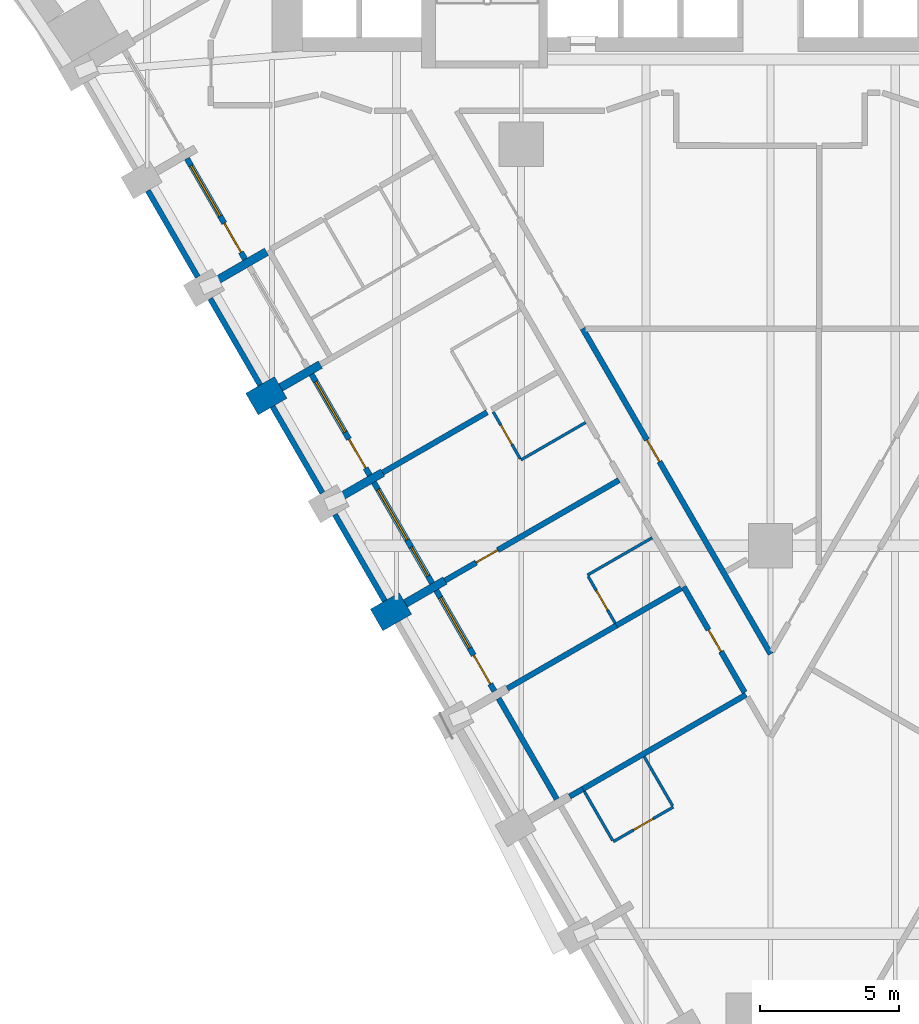
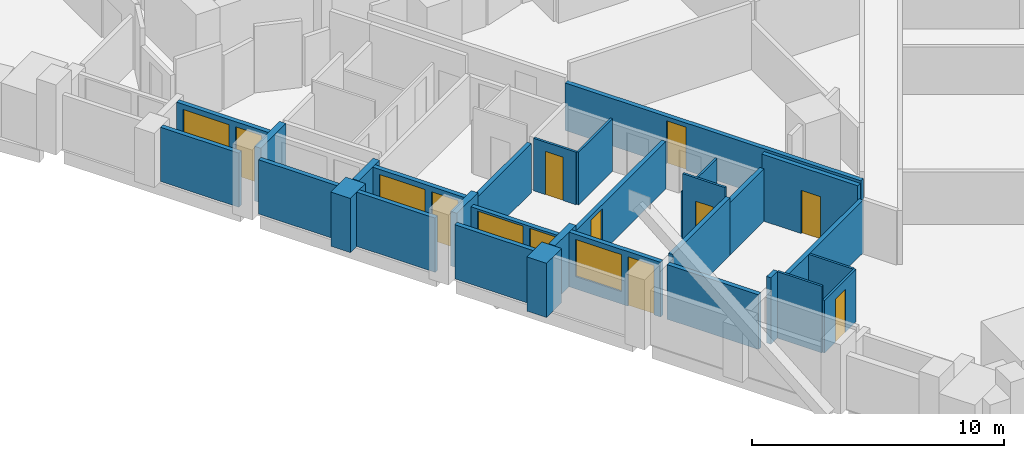
# One storey, part 3 of 11: 30 walls, 10 doors, 4 windows, 14 openings.
"""IFC4 building model written with IfcOpenShell, lengths in metres."""

from ifc_helpers import new_model, si_unit, direction, frame, frame_2d, origin, place, context, subcontext, project, spatial, polyline, rectangle, outline, extrude, material, layer, layer_set, type_object, element, fill, save


model = new_model("IFC4")

# Units and contexts
model_context = context("Model", 3, precision=1e-05, world=origin(), true_north=direction((0.0, 1.0)))
body_context = subcontext(model_context, "Body", "Model", "MODEL_VIEW")
ifc_project = project(units=[si_unit("LENGTHUNIT", "METRE"), si_unit("AREAUNIT", "SQUARE_METRE"), si_unit("VOLUMEUNIT", "CUBIC_METRE"), si_unit("PLANEANGLEUNIT", "RADIAN"), si_unit("MASSUNIT", "GRAM", prefix="KILO")], contexts=[model_context])

# Site, building, storey
site_placement = place(None, origin())
site = spatial("IfcSite", under=ifc_project, at=site_placement, CompositionType="ELEMENT")
building_placement = place(site_placement, origin())
building = spatial("IfcBuilding", under=site, at=building_placement, Name="Calabash Gate Tower", CompositionType="ELEMENT")
storey_placement = place(building_placement, frame((0.0, 0.0, 52.800048828125)))
storey = spatial("IfcBuildingStorey", under=building, at=storey_placement, Name="L08", CompositionType="ELEMENT", Elevation=52.800048828125)

# Walls
ifc_material_1 = material(Name="Terracotta brick masonry, exposed face", Category="masonry")
ifc_layer_1 = layer(ifc_material_1, 1.199951171875)
ifc_layer_set_1 = layer_set([ifc_layer_1], Name="Brick end wall 1200")
wall_type_1 = type_object("IfcWallType", Name="Brick end wall 1200", PredefinedType="SOLIDWALL", material=ifc_layer_set_1)
wall_1_placement = place(storey_placement, frame((-18.7197265625, -6.8818359375, 0.0), z_axis=(0.0, 0.0, 1.0), x_axis=(0.866006032174, 0.500033551112, 0.0)))
element("IfcWall", 1, at=wall_1_placement, inside=storey, type_object=wall_type_1, Name="Brick pier S01 SW0.3", PredefinedType="SOLIDWALL", context=body_context, shape_type="SweptSolid", body=[
    extrude(rectangle(XDim=1.2001953125, YDim=0.89990234375, at=frame_2d((0.60009765625, 0.0))), origin(), (0.0, 0.0, 1.0), 2.6279296875),
])
wall_2_placement = place(storey_placement, frame((-14.2197265625, -14.676025390625, 0.0), z_axis=(0.0, 0.0, 1.0), x_axis=(0.866006032174, 0.500033551112, 0.0)))
element("IfcWall", 2, at=wall_2_placement, inside=storey, type_object=wall_type_1, Name="Brick pier S01 SW0.5", PredefinedType="SOLIDWALL", context=body_context, shape_type="SweptSolid", body=[
    extrude(rectangle(XDim=1.2001953125, YDim=0.89990234375, at=frame_2d((0.60009765625, 0.0))), origin(), (0.0, 0.0, 1.0), 2.6298828125),
])
ifc_material_2 = material(Name="Terracotta brick masonry, exposed face", Category="masonry")
ifc_layer_2 = layer(ifc_material_2, 0.300048828125)
ifc_layer_set_2 = layer_set([ifc_layer_2], Name="Brick loggia cheek wall 300")
wall_type_2 = type_object("IfcWallType", Name="Brick loggia cheek wall 300", PredefinedType="SOLIDWALL", material=ifc_layer_set_2)
wall_3_placement = place(storey_placement, frame((-19.9296875, -2.38427734375, 0.0), z_axis=(0.0, 0.0, 1.0), x_axis=(0.866057602843, 0.499944225447, 0.0)))
element("IfcWall", 3, at=wall_3_placement, inside=storey, type_object=wall_type_2, Name="Loggia cheek S01 SW0.2", PredefinedType="SOLIDWALL", context=body_context, shape_type="SweptSolid", body=[
    extrude(rectangle(XDim=2.001220703125, YDim=0.300048828125, at=frame_2d((1.00048828125, 0.0))), origin(), (0.0, 0.0, 1.0), 2.64990234375),
])
for number, where, z_axis, x_axis, name in (
    (4, (-17.680419921875, -6.28173828125, 0.0), (0.0, 0.0, 1.0), (0.866040211805, 0.499974350878, 0.0), "Loggia cheek S01 SW0.3"),
    (5, (-15.430419921875, -10.178955078125, 0.0), (0.0, 0.0, 1.0), (0.866040211805, 0.499974350878, 0.0), "Loggia cheek S01 SW0.4"),
    (6, (-11.75146484375, -13.2509765625, 0.0), (0.0, 0.0, 1.0), (-0.866040211805, -0.499974350878, 0.0), "Loggia cheek S01 SW0.5"),
):
    element("IfcWall", number, at=place(storey_placement, frame(where, z_axis=z_axis, x_axis=x_axis)), inside=storey, type_object=wall_type_2, Name=name, PredefinedType="SOLIDWALL", context=body_context, shape_type="SweptSolid", body=[
        extrude(rectangle(XDim=1.64990234375, YDim=0.300048828125, at=frame_2d((0.824951171875, 0.0))), origin(), (0.0, 0.0, 1.0), 2.64990234375),
    ])

# Wall, opening, door
ifc_material_3 = material(Name="Gypsum board on steel studs, mineral wool", Category="steel")
ifc_layer_3 = layer(ifc_material_3, 0.10009765625)
ifc_layer_set_3 = layer_set([ifc_layer_3], Name="Partition 100 gypsum board")
wall_type_3 = type_object("IfcWallType", Name="Partition 100 gypsum board", PredefinedType="PARTITIONING", material=ifc_layer_set_3)
wall_4_placement = place(storey_placement, frame((-5.6748046875, -22.67578125, 0.0), z_axis=(0.0, 0.0, 1.0), x_axis=(0.866022959057, 0.500004234368, 0.0)))
wall_4 = element("IfcWall", 7, at=wall_4_placement, inside=storey, type_object=wall_type_3, Name="Partition", PredefinedType="PARTITIONING", context=body_context, shape_type="SweptSolid", body=[
    extrude(rectangle(XDim=2.5, YDim=0.10009765625, at=frame_2d((1.25, 0.0))), origin(), (0.0, 0.0, 1.0), 2.5517578125),
])
opening_1_placement = place(wall_4_placement, frame((0.85009765625, 0.0, 0.0)))
opening_1 = element("IfcOpeningElement", 8, at=opening_1_placement, cuts=wall_4, Name="Opening 06-08-019", PredefinedType="OPENING", context=body_context, shape_type="SweptSolid", body=[
    extrude(rectangle(XDim=0.800048828125, YDim=2.10009765625, at=frame_2d((0.39990234375, 1.050048828125))), frame((0.0, 0.06005859375, 0.0), z_axis=(0.0, -1.0, 0.0), x_axis=(1.0, 0.0, 0.0)), (0.0, 0.0, 1.0), 0.1201171875),
])
ifc_material_4 = material(Name="Painted timber door", Category="wood")
door_type_1 = type_object("IfcDoorType", Name="GD5 En-suite door 800x2100", OperationType="NOTDEFINED", PredefinedType="DOOR", material=ifc_material_4)
door_1_placement = place(opening_1_placement, origin())
door_1 = element("IfcDoor", 9, at=door_1_placement, inside=storey, type_object=door_type_1, Name="En-suite door", OperationType="SINGLE_SWING_RIGHT", OverallHeight=2.10009765625, OverallWidth=0.800048828125, PredefinedType="DOOR", context=body_context, shape_type="SweptSolid", body=[
    extrude(rectangle(XDim=0.800048828125, YDim=2.10009765625, at=frame_2d((0.39990234375, 1.050048828125))), frame((0.0, 0.02490234375, 0.0), z_axis=(0.0, -1.0, 0.0), x_axis=(1.0, 0.0, 0.0)), (0.0, 0.0, 1.0), 0.050048828125),
])
fill(opening_1, door_1)

# Walls
wall_5_placement = place(storey_placement, frame((-4.561279296875, -19.608154296875, 0.0), z_axis=(0.0, 0.0, 1.0), x_axis=(0.500646589026, -0.865651773461, 0.0)))
element("IfcWall", 10, at=wall_5_placement, inside=storey, type_object=wall_type_3, Name="Partition", PredefinedType="PARTITIONING", context=body_context, shape_type="SweptSolid", body=[
    extrude(rectangle(XDim=2.050048828125, YDim=0.10009765625, at=frame_2d((1.02490234375, 0.0))), origin(), (0.0, 0.0, 1.0), 2.5517578125),
])
wall_6_placement = place(storey_placement, frame((-6.723388671875, -20.8564453125, 0.0), z_axis=(0.0, 0.0, 1.0), x_axis=(0.499354689006, -0.866397653833, 0.0)))
element("IfcWall", 11, at=wall_6_placement, inside=storey, type_object=wall_type_3, Name="Partition", PredefinedType="PARTITIONING", context=body_context, shape_type="SweptSolid", body=[
    extrude(rectangle(XDim=2.050048828125, YDim=0.10009765625, at=frame_2d((1.02490234375, 0.0))), origin(), (0.0, 0.0, 1.0), 3.22998046875),
])

# Wall, opening, door
wall_7_placement = place(storey_placement, frame((-6.5859375, -13.097900390625, 0.0), z_axis=(0.0, 0.0, 1.0), x_axis=(0.49995005938, -0.866054235095, 0.0)))
wall_7 = element("IfcWall", 12, at=wall_7_placement, inside=storey, type_object=wall_type_3, Name="Partition", PredefinedType="PARTITIONING", context=body_context, shape_type="SweptSolid", body=[
    extrude(rectangle(XDim=1.949951171875, YDim=0.10009765625, at=frame_2d((0.97509765625, 0.0))), origin(), (0.0, 0.0, 1.0), 3.22998046875),
])
opening_2_placement = place(wall_7_placement, frame((0.60009765625, 0.0, 0.0)))
opening_2 = element("IfcOpeningElement", 13, at=opening_2_placement, cuts=wall_7, Name="Opening 06-08-006", PredefinedType="OPENING", context=body_context, shape_type="SweptSolid", body=[
    extrude(rectangle(XDim=0.800048828125, YDim=2.10009765625, at=frame_2d((0.39990234375, 1.050048828125))), frame((0.0, 0.06005859375, 0.0), z_axis=(0.0, -1.0, 0.0), x_axis=(1.0, 0.0, 0.0)), (0.0, 0.0, 1.0), 0.1201171875),
])
door_2_placement = place(opening_2_placement, origin())
door_2 = element("IfcDoor", 14, at=door_2_placement, inside=storey, type_object=door_type_1, Name="En-suite door", OperationType="SINGLE_SWING_RIGHT", OverallHeight=2.10009765625, OverallWidth=0.800048828125, PredefinedType="DOOR", context=body_context, shape_type="SweptSolid", body=[
    extrude(rectangle(XDim=0.800048828125, YDim=2.10009765625, at=frame_2d((0.39990234375, 1.050048828125))), frame((0.0, 0.02490234375, 0.0), z_axis=(0.0, -1.0, 0.0), x_axis=(1.0, 0.0, 0.0)), (0.0, 0.0, 1.0), 0.050048828125),
])
fill(opening_2, door_2)

# Walls
wall_8_placement = place(storey_placement, frame((-6.611083984375, -13.054443359375, 0.0), z_axis=(0.0, 0.0, 1.0), x_axis=(0.866339109022, 0.499456252518, 0.0)))
element("IfcWall", 15, at=wall_8_placement, inside=storey, type_object=wall_type_3, Name="Partition", PredefinedType="PARTITIONING", context=body_context, shape_type="SweptSolid", body=[
    extrude(rectangle(XDim=2.69970703125, YDim=0.10009765625, at=frame_2d((1.349853515625, 0.0))), origin(), (0.0, 0.0, 1.0), 2.302490234375),
])
wall_9_placement = place(storey_placement, frame((-9.010986328125, -8.897705078125, 0.0), z_axis=(0.0, 0.0, 1.0), x_axis=(0.865671764241, 0.500612022024, 0.0)))
element("IfcWall", 16, at=wall_9_placement, inside=storey, type_object=wall_type_3, Name="Partition", PredefinedType="PARTITIONING", context=body_context, shape_type="SweptSolid", body=[
    extrude(rectangle(XDim=2.69970703125, YDim=0.10009765625, at=frame_2d((1.349853515625, 0.0))), origin(), (0.0, 0.0, 1.0), 2.5517578125),
])

# Wall, opening, door
wall_10_placement = place(storey_placement, frame((-10.009521484375, -7.164794921875, 0.0), z_axis=(0.0, 0.0, 1.0), x_axis=(0.499317740681, -0.866418948224, 0.0)))
wall_10 = element("IfcWall", 17, at=wall_10_placement, inside=storey, type_object=wall_type_3, Name="Partition", PredefinedType="PARTITIONING", context=body_context, shape_type="SweptSolid", body=[
    extrude(rectangle(XDim=1.949951171875, YDim=0.10009765625, at=frame_2d((0.97509765625, 0.0))), origin(), (0.0, 0.0, 1.0), 2.5517578125),
])
opening_3_placement = place(wall_10_placement, frame((0.5498046875, 0.0, 0.0)))
opening_3 = element("IfcOpeningElement", 18, at=opening_3_placement, cuts=wall_10, Name="Opening 06-08-004", PredefinedType="OPENING", context=body_context, shape_type="SweptSolid", body=[
    extrude(rectangle(XDim=0.800048828125, YDim=2.10009765625, at=frame_2d((0.39990234375, 1.050048828125))), frame((0.0, 0.06005859375, 0.0), z_axis=(0.0, -1.0, 0.0), x_axis=(1.0, 0.0, 0.0)), (0.0, 0.0, 1.0), 0.1201171875),
])
door_3_placement = place(opening_3_placement, origin())
door_3 = element("IfcDoor", 19, at=door_3_placement, inside=storey, type_object=door_type_1, Name="En-suite door", OperationType="SINGLE_SWING_LEFT", OverallHeight=2.10009765625, OverallWidth=0.800048828125, PredefinedType="DOOR", context=body_context, shape_type="SweptSolid", body=[
    extrude(rectangle(XDim=0.800048828125, YDim=2.10009765625, at=frame_2d((0.39990234375, 1.050048828125))), frame((0.0, 0.02490234375, 0.0), z_axis=(0.0, -1.0, 0.0), x_axis=(1.0, 0.0, 0.0)), (0.0, 0.0, 1.0), 0.050048828125),
])
fill(opening_3, door_3)

# Walls
ifc_material_5 = material(Name="Gypsum board on steel studs, mineral wool", Category="steel")
ifc_layer_4 = layer(ifc_material_5, 0.199951171875)
ifc_layer_set_4 = layer_set([ifc_layer_4], Name="Partition 200 gypsum board EI 60")
wall_type_4 = type_object("IfcWallType", Name="Partition 200 gypsum board EI 60", PredefinedType="PARTITIONING", material=ifc_layer_set_4)
wall_11_placement = place(storey_placement, frame((-7.251220703125, -21.045654296875, 0.0), z_axis=(0.0, 0.0, 1.0), x_axis=(0.86747675874, 0.497477711105, 0.0)))
element("IfcWall", 20, at=wall_11_placement, inside=storey, type_object=wall_type_4, Name="Partition", PredefinedType="PARTITIONING", context=body_context, shape_type="SweptSolid", body=[
    extrude(rectangle(XDim=0.549560546875, YDim=0.199951171875, at=frame_2d((0.27490234375, 0.0))), origin(), (0.0, 0.0, 1.0), 3.22998046875),
])
wall_12_placement = place(storey_placement, frame((-6.774169921875, -20.77197265625, 0.0), z_axis=(0.0, 0.0, 1.0), x_axis=(0.866036107898, 0.499981459473, 0.0)))
element("IfcWall", 21, at=wall_12_placement, inside=storey, type_object=wall_type_4, Name="Partition", PredefinedType="PARTITIONING", context=body_context, shape_type="SweptSolid", body=[
    extrude(rectangle(XDim=6.799560546875, YDim=0.199951171875, at=frame_2d((3.39990234375, 0.0))), origin(), (0.0, 0.0, 1.0), 2.5517578125),
])

# Wall, opening, door
wall_13_placement = place(storey_placement, frame((-3.136962890625, -13.475830078125, 0.0), z_axis=(0.0, 0.0, 1.0), x_axis=(0.499989943423, -0.866031209874, 0.0)))
wall_13 = element("IfcWall", 22, at=wall_13_placement, inside=storey, type_object=wall_type_4, Name="Partition", PredefinedType="PARTITIONING", context=body_context, shape_type="SweptSolid", body=[
    extrude(rectangle(XDim=4.39794921875, YDim=0.199951171875, at=frame_2d((2.198974609375, 0.0))), origin(), (0.0, 0.0, 1.0), 3.22998046875),
])
opening_4_placement = place(wall_13_placement, frame((1.798095703125, 0.0, 0.0)))
opening_4 = element("IfcOpeningElement", 23, at=opening_4_placement, cuts=wall_13, Name="Opening 06-08-008", PredefinedType="OPENING", context=body_context, shape_type="SweptSolid", body=[
    extrude(rectangle(XDim=0.89990234375, YDim=2.10009765625, at=frame_2d((0.449951171875, 1.050048828125))), frame((0.0, 0.10986328125, 0.0), z_axis=(0.0, -1.0, 0.0), x_axis=(1.0, 0.0, 0.0)), (0.0, 0.0, 1.0), 0.219970703125),
])
ifc_material_6 = material(Name="Steel fire door set with fire-resisting glazing", Category="steel")
door_type_2 = type_object("IfcDoorType", Name="SD1 Service room door 900x2100", OperationType="NOTDEFINED", PredefinedType="DOOR", material=ifc_material_6)
door_4_placement = place(opening_4_placement, origin())
door_4 = element("IfcDoor", 24, at=door_4_placement, inside=storey, type_object=door_type_2, Name="Service room door", OperationType="SINGLE_SWING_LEFT", OverallHeight=2.10009765625, OverallWidth=0.89990234375, PredefinedType="DOOR", context=body_context, shape_type="SweptSolid", body=[
    extrude(rectangle(XDim=0.89990234375, YDim=2.10009765625, at=frame_2d((0.449951171875, 1.050048828125))), frame((0.0, 0.02490234375, 0.0), z_axis=(0.0, -1.0, 0.0), x_axis=(1.0, 0.0, 0.0)), (0.0, 0.0, 1.0), 0.050048828125),
])
fill(opening_4, door_4)

# Walls
wall_14_placement = place(storey_placement, frame((-9.501220703125, -17.148193359375, 0.0), z_axis=(0.0, 0.0, 1.0), x_axis=(0.866032838626, 0.499987122256, 0.0)))
element("IfcWall", 25, at=wall_14_placement, inside=storey, type_object=wall_type_4, Name="Partition", PredefinedType="PARTITIONING", context=body_context, shape_type="SweptSolid", body=[
    extrude(rectangle(XDim=4.55126953125, YDim=0.199951171875, at=frame_2d((2.275634765625, 0.0))), origin(), (0.0, 0.0, 1.0), 2.7822265625),
])
wall_15_placement = place(storey_placement, frame((-5.562744140625, -14.874267578125, 0.0), z_axis=(0.0, 0.0, 1.0), x_axis=(0.866384216157, 0.499378003114, 0.0)))
element("IfcWall", 26, at=wall_15_placement, inside=storey, type_object=wall_type_4, Name="Partition", PredefinedType="PARTITIONING", context=body_context, shape_type="SweptSolid", body=[
    extrude(rectangle(XDim=2.7001953125, YDim=0.199951171875, at=frame_2d((1.35009765625, 0.0))), origin(), (0.0, 0.0, 1.0), 2.5517578125),
])

# Wall, opening, door
wall_16_placement = place(storey_placement, frame((-11.751220703125, -13.251220703125, 0.0), z_axis=(0.0, 0.0, 1.0), x_axis=(0.866134002969, 0.499811853502, 0.0)))
wall_16 = element("IfcWall", 27, at=wall_16_placement, inside=storey, type_object=wall_type_4, Name="Partition", PredefinedType="PARTITIONING", context=body_context, shape_type="SweptSolid", body=[
    extrude(rectangle(XDim=7.249755859375, YDim=0.199951171875, at=frame_2d((3.625, 0.0))), origin(), (0.0, 0.0, 1.0), 2.302490234375),
])
opening_5_placement = place(wall_16_placement, frame((1.300048828125, 0.0, 0.0)))
opening_5 = element("IfcOpeningElement", 28, at=opening_5_placement, cuts=wall_16, Name="Opening 06-08-007", PredefinedType="OPENING", context=body_context, shape_type="SweptSolid", body=[
    extrude(rectangle(XDim=0.89990234375, YDim=2.10009765625, at=frame_2d((0.449951171875, 1.050048828125))), frame((0.0, 0.10986328125, 0.0), z_axis=(0.0, -1.0, 0.0), x_axis=(1.0, 0.0, 0.0)), (0.0, 0.0, 1.0), 0.219970703125),
])
ifc_material_7 = material(Name="Steel fire door set with fire-resisting glazing", Category="steel")
door_type_3 = type_object("IfcDoorType", Name="GD4 Connecting door 900x2100", OperationType="NOTDEFINED", PredefinedType="DOOR", material=ifc_material_7)
door_5_placement = place(opening_5_placement, origin())
door_5 = element("IfcDoor", 29, at=door_5_placement, inside=storey, type_object=door_type_3, Name="Connecting door", OperationType="SINGLE_SWING_RIGHT", OverallHeight=2.10009765625, OverallWidth=0.89990234375, PredefinedType="DOOR", context=body_context, shape_type="SweptSolid", body=[
    extrude(rectangle(XDim=0.89990234375, YDim=2.10009765625, at=frame_2d((0.449951171875, 1.050048828125))), frame((0.0, 0.02490234375, 0.0), z_axis=(0.0, -1.0, 0.0), x_axis=(1.0, 0.0, 0.0)), (0.0, 0.0, 1.0), 0.050048828125),
])
fill(opening_5, door_5)

# Wall
wall_17_placement = place(storey_placement, frame((-14.001220703125, -9.35400390625, 0.0), z_axis=(0.0, 0.0, 1.0), x_axis=(0.866024887666, 0.500000893942, 0.0)))
element("IfcWall", 30, at=wall_17_placement, inside=storey, type_object=wall_type_4, Name="Partition", PredefinedType="PARTITIONING", context=body_context, shape_type="SweptSolid", body=[
    extrude(rectangle(XDim=4.3515625, YDim=0.199951171875, at=frame_2d((2.17578125, 0.0))), origin(), (0.0, 0.0, 1.0), 2.384033203125),
])

# Wall, opening, door
wall_18_placement = place(storey_placement, frame((-6.783203125, -4.156005859375, 0.0), z_axis=(0.0, 0.0, 1.0), x_axis=(0.500162761554, -0.865931412962, 0.0)))
wall_18 = element("IfcWall", 31, at=wall_18_placement, inside=storey, type_object=wall_type_4, Name="Partition", PredefinedType="PARTITIONING", context=body_context, shape_type="SweptSolid", body=[
    extrude(rectangle(XDim=13.56640625, YDim=0.199951171875, at=frame_2d((6.783203125, 0.0))), origin(), (0.0, 0.0, 1.0), 2.302490234375),
])
opening_6_placement = place(wall_18_placement, frame((4.642333984375, 0.0, 0.0)))
opening_6 = element("IfcOpeningElement", 32, at=opening_6_placement, cuts=wall_18, Name="Opening 06-08-018", PredefinedType="OPENING", context=body_context, shape_type="SweptSolid", body=[
    extrude(rectangle(XDim=0.89990234375, YDim=2.10009765625, at=frame_2d((0.449951171875, 1.050048828125))), frame((0.0, 0.10986328125, 0.0), z_axis=(0.0, -1.0, 0.0), x_axis=(1.0, 0.0, 0.0)), (0.0, 0.0, 1.0), 0.219970703125),
])
ifc_material_8 = material(Name="Steel fire door set with fire-resisting glazing", Category="steel")
door_type_4 = type_object("IfcDoorType", Name="SD3 Store door 900x2100", OperationType="NOTDEFINED", PredefinedType="DOOR", material=ifc_material_8)
door_6_placement = place(opening_6_placement, origin())
door_6 = element("IfcDoor", 33, at=door_6_placement, inside=storey, type_object=door_type_4, Name="Store door", OperationType="SINGLE_SWING_LEFT", OverallHeight=2.10009765625, OverallWidth=0.89990234375, PredefinedType="DOOR", context=body_context, shape_type="SweptSolid", body=[
    extrude(rectangle(XDim=0.89990234375, YDim=2.10009765625, at=frame_2d((0.449951171875, 1.050048828125))), frame((0.0, 0.02490234375, 0.0), z_axis=(0.0, -1.0, 0.0), x_axis=(1.0, 0.0, 0.0)), (0.0, 0.0, 1.0), 0.050048828125),
])
fill(opening_6, door_6)

# Walls
ifc_material_9 = material(Name="Terracotta brick masonry, perforated", Category="masonry")
ifc_layer_5 = layer(ifc_material_9, 0.199951171875)
ifc_layer_set_5 = layer_set([ifc_layer_5], Name="Terracotta jaali screen A")
wall_type_5 = type_object("IfcWallType", Name="Terracotta jaali screen A", PredefinedType="SOLIDWALL", material=ifc_layer_set_5)
wall_19_placement = place(storey_placement, origin())
element("IfcWall", 34, at=wall_19_placement, inside=storey, type_object=wall_type_5, Name="SCREEN A S01 SW0.2", PredefinedType="SOLIDWALL", context=body_context, shape_type="SweptSolid", body=[
    extrude(outline(polyline([(-22.5615234375, 0.772705078125), (-20.76220703125, -2.34375), (-20.589111328125, -2.24365234375), (-22.388427734375, 0.872802734375), (-22.5615234375, 0.772705078125)])), origin(), (0.0, 0.0, 1.0), 2.6298828125),
])
for number, where, z_axis, x_axis, name in (
    (35, (-20.22509765625, -3.074462890625, 0.0), (0.0, 0.0, 1.0), (0.500012057535, -0.866018442252, 0.0), "SCREEN A S01 SW0.3"),
    (36, (-17.97509765625, -6.971435546875, 0.0), (0.0, 0.0, 1.0), (0.500012057535, -0.866018442252, 0.0), "SCREEN A S01 SW0.4"),
    (37, (-15.72509765625, -10.86865234375, 0.0), (0.0, 0.0, 1.0), (0.500012057535, -0.866018442252, 0.0), "SCREEN A S01 SW0.5"),
):
    element("IfcWall", number, at=place(storey_placement, frame(where, z_axis=z_axis, x_axis=x_axis)), inside=storey, type_object=wall_type_5, Name=name, PredefinedType="SOLIDWALL", context=body_context, shape_type="SweptSolid", body=[
        extrude(rectangle(XDim=3.60009765625, YDim=0.199951171875, at=frame_2d((1.800048828125, 0.0))), origin(), (0.0, 0.0, 1.0), 2.6298828125),
    ])

# Wall, openings, door, window
ifc_material_10 = material(Name="Aluminium framed window wall with insulated spandrel", Category="aluminium")
ifc_layer_6 = layer(ifc_material_10, 0.199951171875)
ifc_layer_set_6 = layer_set([ifc_layer_6], Name="Window wall 200")
wall_type_6 = type_object("IfcWallType", Name="Window wall 200", PredefinedType="ELEMENTEDWALL", material=ifc_layer_set_6)
wall_20_placement = place(storey_placement, frame((-21.066162109375, 1.982421875, 0.0), z_axis=(0.0, 0.0, 1.0), x_axis=(0.500027713859, -0.866009402589, 0.0)))
wall_20 = element("IfcWall", 38, at=wall_20_placement, inside=storey, type_object=wall_type_6, Name="Window wall S01 SW0.2", PredefinedType="ELEMENTEDWALL", context=body_context, shape_type="SweptSolid", body=[
    extrude(rectangle(XDim=4.199951171875, YDim=0.199951171875, at=frame_2d((2.10009765625, 0.0))), origin(), (0.0, 0.0, 1.0), 2.64990234375),
])
opening_7_placement = place(wall_20_placement, frame((0.300048828125, 0.0, 0.60009765625)))
opening_7 = element("IfcOpeningElement", 39, at=opening_7_placement, cuts=wall_20, Name="Opening HW1", PredefinedType="OPENING", context=body_context, shape_type="SweptSolid", body=[
    extrude(rectangle(XDim=2.10009765625, YDim=1.800048828125, at=frame_2d((1.050048828125, 0.89990234375))), frame((0.0, 0.10986328125, 0.0), z_axis=(0.0, -1.0, 0.0), x_axis=(1.0, 0.0, 0.0)), (0.0, 0.0, 1.0), 0.219970703125),
])
opening_8_placement = place(wall_20_placement, frame((2.699951171875, 0.0, 0.0)))
opening_8 = element("IfcOpeningElement", 40, at=opening_8_placement, cuts=wall_20, Name="Opening H1-026", PredefinedType="OPENING", context=body_context, shape_type="SweptSolid", body=[
    extrude(rectangle(XDim=1.199951171875, YDim=2.39990234375, at=frame_2d((0.60009765625, 1.199951171875))), frame((0.0, 0.10986328125, 0.0), z_axis=(0.0, -1.0, 0.0), x_axis=(1.0, 0.0, 0.0)), (0.0, 0.0, 1.0), 0.219970703125),
])
ifc_material_11 = material(Name="Anodised aluminium frame, bronze finish, impact-rated laminated clear glazing", Category="aluminium")
door_type_5 = type_object("IfcDoorType", Name="Loggia door DH1 1200x2400", OperationType="SLIDING_TO_LEFT", PredefinedType="DOOR", material=ifc_material_11)
door_7_placement = place(opening_8_placement, origin())
door_7 = element("IfcDoor", 41, at=door_7_placement, inside=storey, type_object=door_type_5, Name="Loggia door S01 SW0.2", OperationType="SINGLE_SWING_LEFT", OverallHeight=2.39990234375, OverallWidth=1.199951171875, PredefinedType="DOOR", context=body_context, shape_type="SweptSolid", body=[
    extrude(rectangle(XDim=1.199951171875, YDim=2.39990234375, at=frame_2d((0.60009765625, 1.199951171875))), frame((0.0, 0.02490234375, 0.0), z_axis=(0.0, -1.0, 0.0), x_axis=(1.0, 0.0, 0.0)), (0.0, 0.0, 1.0), 0.050048828125),
])
fill(opening_8, door_7)
ifc_material_12 = material(Name="Anodised aluminium frame, bronze finish, impact-rated laminated clear glazing", Category="aluminium")
window_type_1 = type_object("IfcWindowType", Name="Window HW1 2100x1800", PartitioningType="DOUBLE_PANEL_VERTICAL", PredefinedType="WINDOW", material=ifc_material_12)
window_1_placement = place(opening_7_placement, origin())
window_1 = element("IfcWindow", 42, at=window_1_placement, inside=storey, type_object=window_type_1, Name="Window HW1 S01 SW0.2", OverallHeight=1.800048828125, OverallWidth=2.10009765625, PartitioningType="SINGLE_PANEL", PredefinedType="WINDOW", context=body_context, shape_type="SweptSolid", body=[
    extrude(rectangle(XDim=2.10009765625, YDim=1.800048828125, at=frame_2d((1.050048828125, 0.89990234375))), frame((0.0, 0.030029296875, 0.0), z_axis=(0.0, -1.0, 0.0), x_axis=(1.0, 0.0, 0.0)), (0.0, 0.0, 1.0), 0.06005859375),
])
fill(opening_7, window_1)

wall_21_placement = place(storey_placement, frame((-16.566162109375, -5.811767578125, 0.0), z_axis=(0.0, 0.0, 1.0), x_axis=(0.500027713859, -0.866009402589, 0.0)))
wall_21 = element("IfcWall", 43, at=wall_21_placement, inside=storey, type_object=wall_type_6, Name="Window wall S01 SW0.4", PredefinedType="ELEMENTEDWALL", context=body_context, shape_type="SweptSolid", body=[
    extrude(rectangle(XDim=4.199951171875, YDim=0.199951171875, at=frame_2d((2.10009765625, 0.0))), origin(), (0.0, 0.0, 1.0), 2.64990234375),
])
opening_9_placement = place(wall_21_placement, frame((0.300048828125, 0.0, 0.60009765625)))
opening_9 = element("IfcOpeningElement", 44, at=opening_9_placement, cuts=wall_21, Name="Opening HW1", PredefinedType="OPENING", context=body_context, shape_type="SweptSolid", body=[
    extrude(rectangle(XDim=2.10009765625, YDim=1.800048828125, at=frame_2d((1.050048828125, 0.89990234375))), frame((0.0, 0.10986328125, 0.0), z_axis=(0.0, -1.0, 0.0), x_axis=(1.0, 0.0, 0.0)), (0.0, 0.0, 1.0), 0.219970703125),
])
opening_10_placement = place(wall_21_placement, frame((2.699951171875, 0.0, 0.0)))
opening_10 = element("IfcOpeningElement", 45, at=opening_10_placement, cuts=wall_21, Name="Opening H1-028", PredefinedType="OPENING", context=body_context, shape_type="SweptSolid", body=[
    extrude(rectangle(XDim=1.199951171875, YDim=2.39990234375, at=frame_2d((0.60009765625, 1.199951171875))), frame((0.0, 0.10986328125, 0.0), z_axis=(0.0, -1.0, 0.0), x_axis=(1.0, 0.0, 0.0)), (0.0, 0.0, 1.0), 0.219970703125),
])
door_8_placement = place(opening_10_placement, origin())
door_8 = element("IfcDoor", 46, at=door_8_placement, inside=storey, type_object=door_type_5, Name="Loggia door S01 SW0.4", OperationType="SINGLE_SWING_LEFT", OverallHeight=2.39990234375, OverallWidth=1.199951171875, PredefinedType="DOOR", context=body_context, shape_type="SweptSolid", body=[
    extrude(rectangle(XDim=1.199951171875, YDim=2.39990234375, at=frame_2d((0.60009765625, 1.199951171875))), frame((0.0, 0.02490234375, 0.0), z_axis=(0.0, -1.0, 0.0), x_axis=(1.0, 0.0, 0.0)), (0.0, 0.0, 1.0), 0.050048828125),
])
fill(opening_10, door_8)
window_2_placement = place(opening_9_placement, origin())
window_2 = element("IfcWindow", 47, at=window_2_placement, inside=storey, type_object=window_type_1, Name="Window HW1 S01 SW0.4", OverallHeight=1.800048828125, OverallWidth=2.10009765625, PartitioningType="SINGLE_PANEL", PredefinedType="WINDOW", context=body_context, shape_type="SweptSolid", body=[
    extrude(rectangle(XDim=2.10009765625, YDim=1.800048828125, at=frame_2d((1.050048828125, 0.89990234375))), frame((0.0, 0.030029296875, 0.0), z_axis=(0.0, -1.0, 0.0), x_axis=(1.0, 0.0, 0.0)), (0.0, 0.0, 1.0), 0.06005859375),
])
fill(opening_9, window_2)

wall_22_placement = place(storey_placement, frame((-14.316162109375, -9.708740234375, 0.0), z_axis=(0.0, 0.0, 1.0), x_axis=(0.500002543286, -0.866023935413, 0.0)))
wall_22 = element("IfcWall", 48, at=wall_22_placement, inside=storey, type_object=wall_type_6, Name="Window wall S01 SW0.5", PredefinedType="ELEMENTEDWALL", context=body_context, shape_type="SweptSolid", body=[
    extrude(rectangle(XDim=4.2001953125, YDim=0.199951171875, at=frame_2d((2.10009765625, 0.0))), origin(), (0.0, 0.0, 1.0), 2.302490234375),
])
opening_11_placement = place(wall_22_placement, frame((0.300048828125, 0.0, 0.60009765625)))
opening_11 = element("IfcOpeningElement", 49, at=opening_11_placement, cuts=wall_22, Name="Opening HW1L-1600", PredefinedType="OPENING", context=body_context, shape_type="SweptSolid", body=[
    extrude(rectangle(XDim=2.10009765625, YDim=1.60009765625, at=frame_2d((1.050048828125, 0.800048828125))), frame((0.0, 0.10986328125, 0.0), z_axis=(0.0, -1.0, 0.0), x_axis=(1.0, 0.0, 0.0)), (0.0, 0.0, 1.0), 0.219970703125),
])
opening_12_placement = place(wall_22_placement, frame((2.699951171875, 0.0, 0.0)))
opening_12 = element("IfcOpeningElement", 50, at=opening_12_placement, cuts=wall_22, Name="Opening H1-029", PredefinedType="OPENING", context=body_context, shape_type="SweptSolid", body=[
    extrude(rectangle(XDim=1.199951171875, YDim=2.199951171875, at=frame_2d((0.60009765625, 1.10009765625))), frame((0.0, 0.10986328125, 0.0), z_axis=(0.0, -1.0, 0.0), x_axis=(1.0, 0.0, 0.0)), (0.0, 0.0, 1.0), 0.219970703125),
])
ifc_material_13 = material(Name="Anodised aluminium frame, bronze finish, impact-rated laminated clear glazing", Category="aluminium")
door_type_6 = type_object("IfcDoorType", Name="Loggia door DH1L-2200 1200x2200", OperationType="SLIDING_TO_LEFT", PredefinedType="DOOR", material=ifc_material_13)
door_9_placement = place(opening_12_placement, origin())
door_9 = element("IfcDoor", 51, at=door_9_placement, inside=storey, type_object=door_type_6, Name="Loggia door S01 SW0.5", OperationType="SINGLE_SWING_LEFT", OverallHeight=2.199951171875, OverallWidth=1.199951171875, PredefinedType="DOOR", context=body_context, shape_type="SweptSolid", body=[
    extrude(rectangle(XDim=1.199951171875, YDim=2.199951171875, at=frame_2d((0.60009765625, 1.10009765625))), frame((0.0, 0.02490234375, 0.0), z_axis=(0.0, -1.0, 0.0), x_axis=(1.0, 0.0, 0.0)), (0.0, 0.0, 1.0), 0.050048828125),
])
fill(opening_12, door_9)
ifc_material_14 = material(Name="Anodised aluminium frame, bronze finish, impact-rated laminated clear glazing", Category="aluminium")
window_type_2 = type_object("IfcWindowType", Name="Window HW1L 2100x1600", PartitioningType="DOUBLE_PANEL_VERTICAL", PredefinedType="WINDOW", material=ifc_material_14)
window_3_placement = place(opening_11_placement, origin())
window_3 = element("IfcWindow", 52, at=window_3_placement, inside=storey, type_object=window_type_2, Name="Window HW1 S01 SW0.5", OverallHeight=1.60009765625, OverallWidth=2.10009765625, PartitioningType="SINGLE_PANEL", PredefinedType="WINDOW", context=body_context, shape_type="SweptSolid", body=[
    extrude(rectangle(XDim=2.10009765625, YDim=1.60009765625, at=frame_2d((1.050048828125, 0.800048828125))), frame((0.0, 0.030029296875, 0.0), z_axis=(0.0, -1.0, 0.0), x_axis=(1.0, 0.0, 0.0)), (0.0, 0.0, 1.0), 0.06005859375),
])
fill(opening_11, window_3)

wall_23_placement = place(storey_placement, frame((-12.066162109375, -13.60595703125, 0.0), z_axis=(0.0, 0.0, 1.0), x_axis=(0.500027713859, -0.866009402589, 0.0)))
wall_23 = element("IfcWall", 53, at=wall_23_placement, inside=storey, type_object=wall_type_6, Name="Window wall S01 SW0.6", PredefinedType="ELEMENTEDWALL", context=body_context, shape_type="SweptSolid", body=[
    extrude(rectangle(XDim=4.199951171875, YDim=0.199951171875, at=frame_2d((2.10009765625, 0.0))), origin(), (0.0, 0.0, 1.0), 2.64990234375),
])
opening_13_placement = place(wall_23_placement, frame((0.300048828125, 0.0, 0.60009765625)))
opening_13 = element("IfcOpeningElement", 54, at=opening_13_placement, cuts=wall_23, Name="Opening HW1", PredefinedType="OPENING", context=body_context, shape_type="SweptSolid", body=[
    extrude(rectangle(XDim=2.10009765625, YDim=1.800048828125, at=frame_2d((1.050048828125, 0.89990234375))), frame((0.0, 0.10986328125, 0.0), z_axis=(0.0, -1.0, 0.0), x_axis=(1.0, 0.0, 0.0)), (0.0, 0.0, 1.0), 0.219970703125),
])
opening_14_placement = place(wall_23_placement, frame((2.699951171875, 0.0, 0.0)))
opening_14 = element("IfcOpeningElement", 55, at=opening_14_placement, cuts=wall_23, Name="Opening H1-030", PredefinedType="OPENING", context=body_context, shape_type="SweptSolid", body=[
    extrude(rectangle(XDim=1.199951171875, YDim=2.39990234375, at=frame_2d((0.60009765625, 1.199951171875))), frame((0.0, 0.10986328125, 0.0), z_axis=(0.0, -1.0, 0.0), x_axis=(1.0, 0.0, 0.0)), (0.0, 0.0, 1.0), 0.219970703125),
])
door_10_placement = place(opening_14_placement, origin())
door_10 = element("IfcDoor", 56, at=door_10_placement, inside=storey, type_object=door_type_5, Name="Loggia door S01 SW0.6", OperationType="SINGLE_SWING_LEFT", OverallHeight=2.39990234375, OverallWidth=1.199951171875, PredefinedType="DOOR", context=body_context, shape_type="SweptSolid", body=[
    extrude(rectangle(XDim=1.199951171875, YDim=2.39990234375, at=frame_2d((0.60009765625, 1.199951171875))), frame((0.0, 0.02490234375, 0.0), z_axis=(0.0, -1.0, 0.0), x_axis=(1.0, 0.0, 0.0)), (0.0, 0.0, 1.0), 0.050048828125),
])
fill(opening_14, door_10)
window_4_placement = place(opening_13_placement, origin())
window_4 = element("IfcWindow", 57, at=window_4_placement, inside=storey, type_object=window_type_1, Name="Window HW1 S01 SW0.6", OverallHeight=1.800048828125, OverallWidth=2.10009765625, PartitioningType="SINGLE_PANEL", PredefinedType="WINDOW", context=body_context, shape_type="SweptSolid", body=[
    extrude(rectangle(XDim=2.10009765625, YDim=1.800048828125, at=frame_2d((1.050048828125, 0.89990234375))), frame((0.0, 0.030029296875, 0.0), z_axis=(0.0, -1.0, 0.0), x_axis=(1.0, 0.0, 0.0)), (0.0, 0.0, 1.0), 0.06005859375),
])
fill(opening_13, window_4)

# Wall
wall_24_placement = place(storey_placement, frame((-9.816162109375, -17.5029296875, 0.0), z_axis=(0.0, 0.0, 1.0), x_axis=(0.500002543286, -0.866023935413, 0.0)))
element("IfcWall", 58, at=wall_24_placement, inside=storey, type_object=wall_type_6, Name="Window wall S01 SW0.7", PredefinedType="ELEMENTEDWALL", context=body_context, shape_type="SweptSolid", body=[
    extrude(rectangle(XDim=4.2001953125, YDim=0.199951171875, at=frame_2d((2.10009765625, 0.0))), origin(), (0.0, 0.0, 1.0), 2.64990234375),
])

save(model, "model.ifc")
